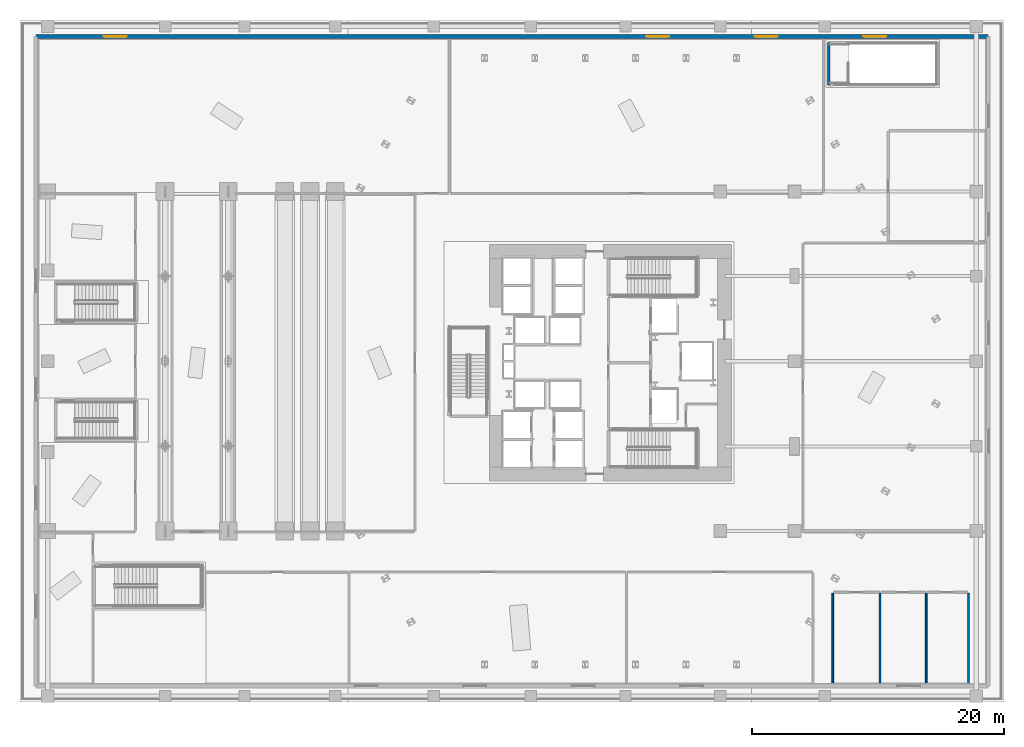
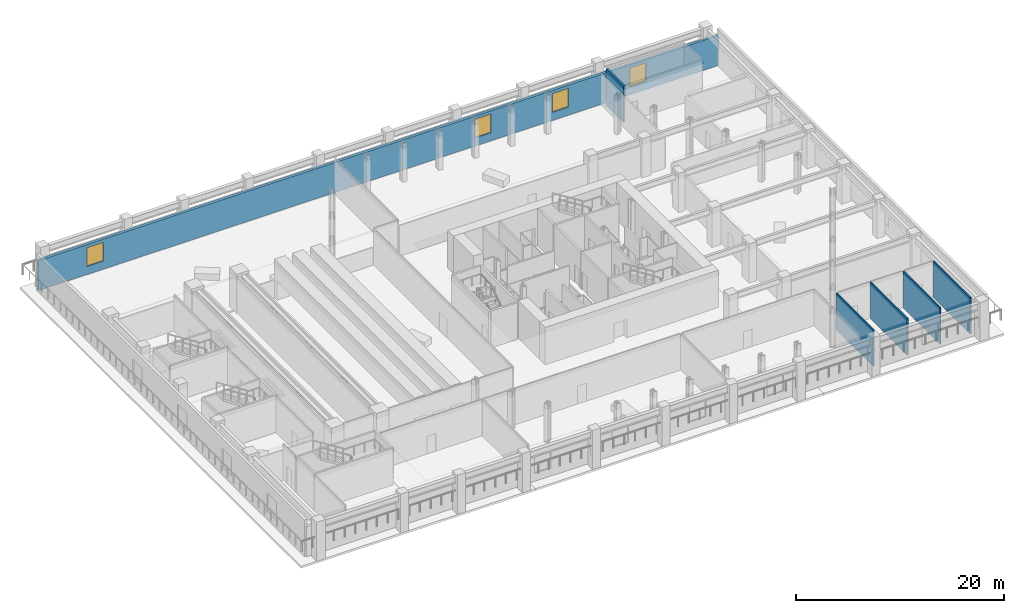
# One storey, part 10 of 24: 6 walls, 4 windows, 4 openings.
"""IFC4 building model written with IfcOpenShell, lengths in metres."""

from ifc_helpers import new_model, si_unit, direction, frame, frame_2d, origin, place, context, subcontext, project, spatial, rectangle, extrude, material, layer, layer_set, type_object, element, fill, save


model = new_model("IFC4")

# Units and contexts
model_context = context("Model", 3, precision=1e-05, world=origin(), true_north=direction((0.0, 1.0)))
body_context = subcontext(model_context, "Body", "Model", "MODEL_VIEW")
ifc_project = project(units=[si_unit("LENGTHUNIT", "METRE"), si_unit("AREAUNIT", "SQUARE_METRE"), si_unit("VOLUMEUNIT", "CUBIC_METRE"), si_unit("PLANEANGLEUNIT", "RADIAN"), si_unit("MASSUNIT", "GRAM", prefix="KILO")], contexts=[model_context])

# Site, building, storey
site_placement = place(None, origin())
site = spatial("IfcSite", under=ifc_project, at=site_placement, CompositionType="ELEMENT")
building_placement = place(site_placement, origin())
building = spatial("IfcBuilding", under=site, at=building_placement, Name="Valkerne Bourse Tower", CompositionType="ELEMENT")
storey_placement = place(building_placement, frame((0.0, 0.0, 19.39990234375)))
storey = spatial("IfcBuildingStorey", under=building, at=storey_placement, Name="L04", CompositionType="ELEMENT", Elevation=19.39990234375)

# Wall, openings, windows
ifc_material_1 = material(Name="Bronze Anodised Aluminium AA 6063-T6", Category="aluminium")
ifc_layer_1 = layer(ifc_material_1, 0.300048828125)
ifc_layer_set_1 = layer_set([ifc_layer_1], Name="Bronze Anodised Aluminium AA 6063-T6")
wall_type_1 = type_object("IfcWallType", Name="W-EXT-ALUM-300", PredefinedType="STANDARD", material=ifc_layer_set_1)
wall_1_placement = place(storey_placement, frame((1.25, 52.75, 0.0), z_axis=(0.0, 0.0, 1.0), x_axis=(1.0, 0.0, 0.0)))
wall_1 = element("IfcWall", 1, at=wall_1_placement, inside=storey, type_object=wall_type_1, Name="L04 Podium Exterior Wall NORTH", PredefinedType="STANDARD", context=body_context, shape_type="SweptSolid", body=[
    extrude(rectangle(XDim=75.5, YDim=0.300048828125, at=frame_2d((37.75, 0.0))), origin(), (0.0, 0.0, 1.0), 3.50927734375),
])
opening_1_placement = place(wall_1_placement, frame((5.39990234375, 0.0, 0.949951171875)))
opening_1 = element("IfcOpeningElement", 2, at=opening_1_placement, cuts=wall_1, Name="Opening WN-03", PredefinedType="OPENING", context=body_context, shape_type="SweptSolid", body=[
    extrude(rectangle(XDim=1.800048828125, YDim=2.199951171875, at=frame_2d((0.89990234375, 1.10009765625))), frame((0.0, 0.159912109375, 0.0), z_axis=(0.0, -1.0, 0.0), x_axis=(1.0, 0.0, 0.0)), (0.0, 0.0, 1.0), 0.320068359375),
])
opening_2_placement = place(wall_1_placement, frame((48.39990234375, 0.0, 0.949951171875)))
opening_2 = element("IfcOpeningElement", 3, at=opening_2_placement, cuts=wall_1, Name="Opening WN-03", PredefinedType="OPENING", context=body_context, shape_type="SweptSolid", body=[
    extrude(rectangle(XDim=1.800048828125, YDim=2.199951171875, at=frame_2d((0.89990234375, 1.10009765625))), frame((0.0, 0.159912109375, 0.0), z_axis=(0.0, -1.0, 0.0), x_axis=(1.0, 0.0, 0.0)), (0.0, 0.0, 1.0), 0.320068359375),
])
opening_3_placement = place(wall_1_placement, frame((57.0, 0.0, 0.949951171875)))
opening_3 = element("IfcOpeningElement", 4, at=opening_3_placement, cuts=wall_1, Name="Opening WN-03", PredefinedType="OPENING", context=body_context, shape_type="SweptSolid", body=[
    extrude(rectangle(XDim=1.800048828125, YDim=2.199951171875, at=frame_2d((0.89990234375, 1.10009765625))), frame((0.0, 0.159912109375, 0.0), z_axis=(0.0, -1.0, 0.0), x_axis=(1.0, 0.0, 0.0)), (0.0, 0.0, 1.0), 0.320068359375),
])
opening_4_placement = place(wall_1_placement, frame((65.60009765625, 0.0, 0.949951171875)))
opening_4 = element("IfcOpeningElement", 5, at=opening_4_placement, cuts=wall_1, Name="Opening WN-03", PredefinedType="OPENING", context=body_context, shape_type="SweptSolid", body=[
    extrude(rectangle(XDim=1.800048828125, YDim=2.199951171875, at=frame_2d((0.89990234375, 1.10009765625))), frame((0.0, 0.159912109375, 0.0), z_axis=(0.0, -1.0, 0.0), x_axis=(1.0, 0.0, 0.0)), (0.0, 0.0, 1.0), 0.320068359375),
])
ifc_material_2 = material(Name="Glass IGU Low-E Double Glazed", Category="glass")
window_type = type_object("IfcWindowType", Name="WIN-POD-1800X2200", PartitioningType="SINGLE_PANEL", PredefinedType="WINDOW", material=ifc_material_2)
window_1_placement = place(opening_1_placement, origin())
window_1 = element("IfcWindow", 6, at=window_1_placement, inside=storey, type_object=window_type, Name="L04 Podium Low-E Window 05", OverallHeight=2.199951171875, OverallWidth=1.800048828125, PartitioningType="SINGLE_PANEL", PredefinedType="WINDOW", context=body_context, shape_type="SweptSolid", body=[
    extrude(rectangle(XDim=1.800048828125, YDim=2.199951171875, at=frame_2d((0.89990234375, 1.10009765625))), frame((0.0, 0.030029296875, 0.0), z_axis=(0.0, -1.0, 0.0), x_axis=(1.0, 0.0, 0.0)), (0.0, 0.0, 1.0), 0.06005859375),
])
fill(opening_1, window_1)
window_2_placement = place(opening_2_placement, origin())
window_2 = element("IfcWindow", 7, at=window_2_placement, inside=storey, type_object=window_type, Name="L04 Podium Low-E Window 06", OverallHeight=2.199951171875, OverallWidth=1.800048828125, PartitioningType="SINGLE_PANEL", PredefinedType="WINDOW", context=body_context, shape_type="SweptSolid", body=[
    extrude(rectangle(XDim=1.800048828125, YDim=2.199951171875, at=frame_2d((0.89990234375, 1.10009765625))), frame((0.0, 0.030029296875, 0.0), z_axis=(0.0, -1.0, 0.0), x_axis=(1.0, 0.0, 0.0)), (0.0, 0.0, 1.0), 0.06005859375),
])
fill(opening_2, window_2)
window_3_placement = place(opening_3_placement, origin())
window_3 = element("IfcWindow", 8, at=window_3_placement, inside=storey, type_object=window_type, Name="L04 Podium Low-E Window 07", OverallHeight=2.199951171875, OverallWidth=1.800048828125, PartitioningType="SINGLE_PANEL", PredefinedType="WINDOW", context=body_context, shape_type="SweptSolid", body=[
    extrude(rectangle(XDim=1.800048828125, YDim=2.199951171875, at=frame_2d((0.89990234375, 1.10009765625))), frame((0.0, 0.030029296875, 0.0), z_axis=(0.0, -1.0, 0.0), x_axis=(1.0, 0.0, 0.0)), (0.0, 0.0, 1.0), 0.06005859375),
])
fill(opening_3, window_3)
window_4_placement = place(opening_4_placement, origin())
window_4 = element("IfcWindow", 9, at=window_4_placement, inside=storey, type_object=window_type, Name="L04 Podium Low-E Window 08", OverallHeight=2.199951171875, OverallWidth=1.800048828125, PartitioningType="SINGLE_PANEL", PredefinedType="WINDOW", context=body_context, shape_type="SweptSolid", body=[
    extrude(rectangle(XDim=1.800048828125, YDim=2.199951171875, at=frame_2d((0.89990234375, 1.10009765625))), frame((0.0, 0.030029296875, 0.0), z_axis=(0.0, -1.0, 0.0), x_axis=(1.0, 0.0, 0.0)), (0.0, 0.0, 1.0), 0.06005859375),
])
fill(opening_4, window_4)

# Walls
ifc_material_3 = material(Name="Concrete C40/50", Category="concrete")
ifc_layer_2 = layer(ifc_material_3, 0.199951171875)
ifc_layer_set_2 = layer_set([ifc_layer_2], Name="Concrete C40/50")
wall_type_2 = type_object("IfcWallType", Name="W-SHF-200", PredefinedType="SHEAR", material=ifc_layer_set_2)
wall_2_placement = place(storey_placement, frame((64.10009765625, 48.89990234375, 0.0), z_axis=(0.0, 0.0, 1.0), x_axis=(0.0, 1.0, 0.0)))
element("IfcWall", 10, at=wall_2_placement, inside=storey, type_object=wall_type_2, Name="L04 Exit Stair ST-P2 Structural West Wall", PredefinedType="SHEAR", context=body_context, shape_type="SweptSolid", body=[
    extrude(rectangle(XDim=3.35009765625, YDim=0.199951171875, at=frame_2d((1.675048828125, 0.0))), origin(), (0.0, 0.0, 1.0), 4.300048828125),
])
ifc_material_4 = material(Name="Moisture-Resistant Gypsum Partition", Category="gypsum")
ifc_layer_3 = layer(ifc_material_4, 0.139892578125)
ifc_layer_set_3 = layer_set([ifc_layer_3], Name="Moisture-Resistant Gypsum Partition")
wall_type_3 = type_object("IfcWallType", Name="W-WET-140", PredefinedType="PARTITIONING", material=ifc_layer_set_3)
for number, where, z_axis, x_axis, name in (
    (11, (64.419921875, 1.5, 0.0), (0.0, 0.0, 1.0), (0.0, 1.0, 0.0), "L04 L04 Men Bathroom WC Wall"),
    (12, (68.179931640625, 1.5, 0.0), (0.0, 0.0, 1.0), (0.0, 1.0, 0.0), "L04 L04 Men Bathroom WC Wall"),
    (13, (71.830078125, 1.5, 0.0), (0.0, 0.0, 1.0), (0.0, 1.0, 0.0), "L04 L04 Women Bathroom WC Wall"),
    (14, (75.179931640625, 1.5, 0.0), (0.0, 0.0, 1.0), (0.0, 1.0, 0.0), "L04 L04 Accessible Bathroom WC Wall"),
):
    element("IfcWall", number, at=place(storey_placement, frame(where, z_axis=z_axis, x_axis=x_axis)), inside=storey, type_object=wall_type_3, Name=name, PredefinedType="PARTITIONING", context=body_context, shape_type="SweptSolid", body=[
        extrude(rectangle(XDim=7.10009765625, YDim=0.139892578125, at=frame_2d((3.550048828125, 0.0))), origin(), (0.0, 0.0, 1.0), 4.300048828125),
    ])

save(model, "model.ifc")
